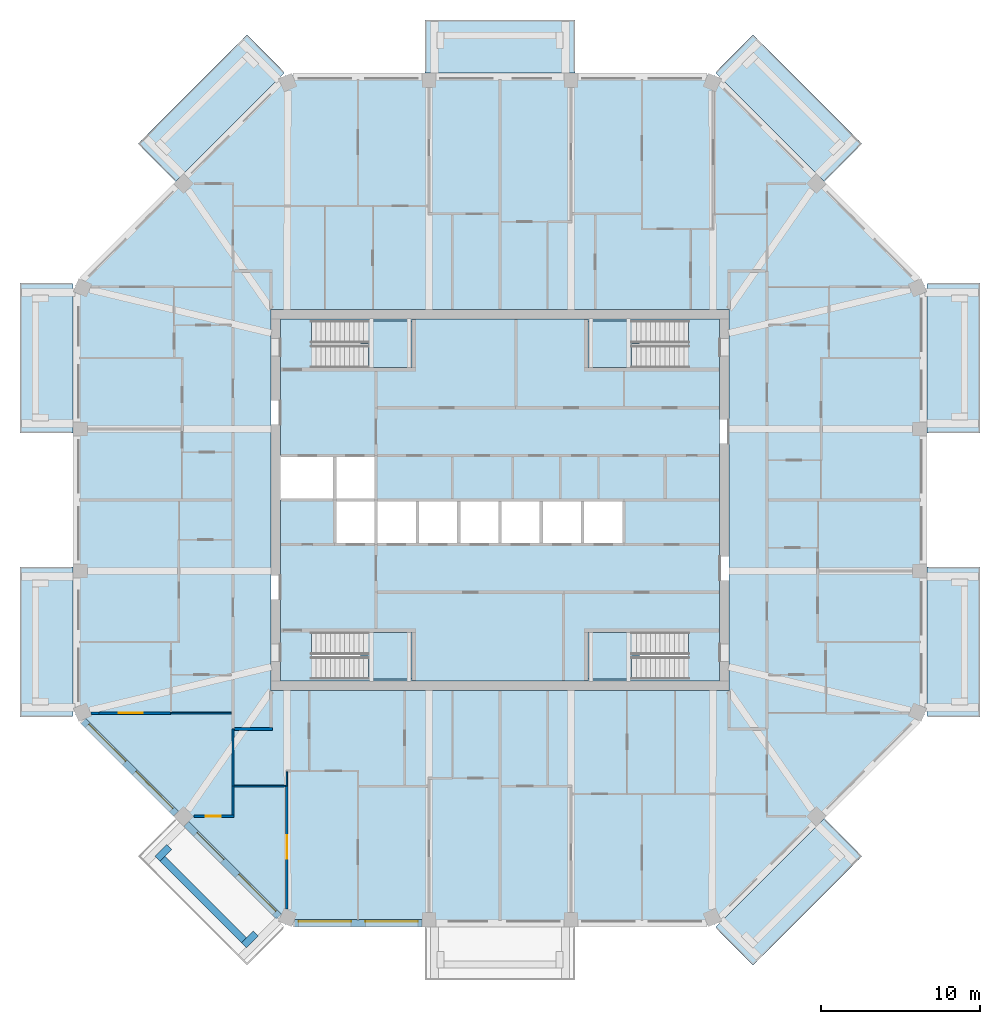
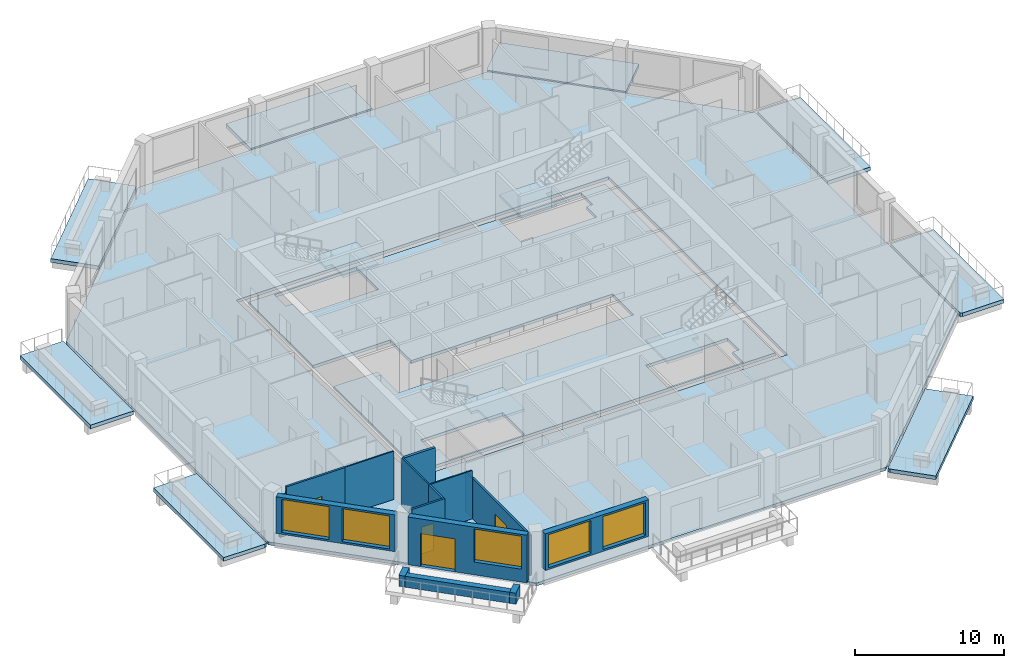
# One storey, part 2 of 12: 16 walls, 14 slabs, 5 windows, 4 doors, 9 openings, 4 elements without a shape of their own.
"""IFC4 building model written with IfcOpenShell, lengths in metres."""

import ifcopenshell
import ifcopenshell.guid

model = None  # the IFC model being written
_history = None  # IfcOwnerHistory: only IFC2X3 demands one
_inside = {}  # id of a spatial element -> (the spatial element, [elements in it])
_under = {}  # id of a project, library or spatial element -> (it, [spatial elements below it])
_declared = {}  # id of a project -> (the project, [libraries it declares])
_typed = {}  # id of a type object -> (the type object, [elements of that type])
_made_of = {}  # id of a material, layer set ... -> (it, [elements and type objects made of it])


def new_model(schema):
    """Start an empty IFC model of exactly this schema.

    Asked for "IFC4X3", IfcOpenShell would pick the latest addendum, in which some entities
    have other attributes; the version numbers below select the first issue.
    IFC2X3 requires an IfcOwnerHistory on every rooted entity: one is made here for all.
    """
    global model, _history
    if schema == "IFC4X3":
        model = ifcopenshell.file(schema_version=(4, 3, 0, 0))
    else:
        model = ifcopenshell.file(schema=schema)
    _inside.clear()
    _under.clear()
    _declared.clear()
    _typed.clear()
    _made_of.clear()
    _history = None
    if model.schema == "IFC2X3":
        org = make("IfcOrganization", Name="unknown")
        user = make(
            "IfcPersonAndOrganization",
            ThePerson=make("IfcPerson", FamilyName="unknown"),
            TheOrganization=org,
        )
        app = make(
            "IfcApplication",
            ApplicationDeveloper=org,
            Version="unknown",
            ApplicationFullName="unknown",
            ApplicationIdentifier="unknown",
        )
        _history = make(
            "IfcOwnerHistory",
            OwningUser=user,
            OwningApplication=app,
            ChangeAction="ADDED",
            CreationDate=0,
        )
    return model


def make(cls, **values):
    """One entity of the class cls with the attributes given. An attribute that is None is left unset."""
    return model.create_entity(
        cls, **{name: value for name, value in values.items() if value is not None}
    )


def rooted(cls, **values):
    """An entity with a GlobalId (a new one), such as an element, a storey or a relation."""
    return make(cls, GlobalId=ifcopenshell.guid.new(), OwnerHistory=_history, **values)


def si_unit(unit_type, name, prefix=None):
    """IfcSIUnit, for example si_unit("LENGTHUNIT", "METRE", prefix="MILLI")."""
    return make("IfcSIUnit", UnitType=unit_type, Prefix=prefix, Name=name)


def assignment(units):
    """IfcUnitAssignment: the units of a project."""
    return None if units is None else make("IfcUnitAssignment", Units=units)


def point(xyz):
    """IfcCartesianPoint."""
    return None if xyz is None else make("IfcCartesianPoint", Coordinates=xyz)


def direction(xyz):
    """IfcDirection."""
    return None if xyz is None else make("IfcDirection", DirectionRatios=xyz)


def frame(location, z_axis=None, x_axis=None):
    """IfcAxis2Placement3D, a coordinate frame: its origin and axes. An axis left out is left unset."""
    return make(
        "IfcAxis2Placement3D",
        Location=point(location),
        Axis=direction(z_axis),
        RefDirection=direction(x_axis),
    )


def frame_2d(location, x_axis=None):
    """IfcAxis2Placement2D, a coordinate frame in the plane: its origin and x axis."""
    return make(
        "IfcAxis2Placement2D", Location=point(location), RefDirection=direction(x_axis)
    )


def origin():
    """The frame at (0, 0, 0) with its axes left unset."""
    return frame((0.0, 0.0, 0.0))


def place(relative_to, where):
    """IfcLocalPlacement: puts the frame where relative to a parent placement (None: the world)."""
    return make(
        "IfcLocalPlacement", PlacementRelTo=relative_to, RelativePlacement=where
    )


def context(
    kind, dimensions, precision=None, world=None, true_north=None, identifier=None
):
    """IfcGeometricRepresentationContext, for example the 3D "Model" context."""
    return make(
        "IfcGeometricRepresentationContext",
        ContextIdentifier=identifier,
        ContextType=kind,
        CoordinateSpaceDimension=dimensions,
        Precision=precision,
        WorldCoordinateSystem=world,
        TrueNorth=true_north,
    )


def subcontext(parent, identifier, kind, view, scale=None):
    """IfcGeometricRepresentationSubContext, for example "Body" below "Model"."""
    return make(
        "IfcGeometricRepresentationSubContext",
        ContextIdentifier=identifier,
        ContextType=kind,
        ParentContext=parent,
        TargetScale=scale,
        TargetView=view,
    )


def project(units=None, contexts=None):
    """IfcProject with its units and contexts."""
    return rooted(
        "IfcProject",
        Name="project",
        RepresentationContexts=contexts,
        UnitsInContext=assignment(units),
    )


def spatial(cls, under=None, at=None, **own):
    """A site, building, storey or space (cls), placed at a placement, below another one or the project."""
    s = rooted(cls, ObjectPlacement=at, **own)
    if under is not None:
        _under.setdefault(under.id(), (under, []))[1].append(s)
    return s


def polyline(points):
    """IfcPolyline through the points."""
    return make("IfcPolyline", Points=[point(p) for p in points])


def profile(cls, at=None, kind="AREA", **sizes):
    """A parametric profile (cls). Its sizes go by their IFC names, for example OverallWidth=200.0."""
    return make(cls, ProfileType=kind, Position=at, **sizes)


def rectangle(**sizes):
    """IfcRectangleProfileDef."""
    return profile("IfcRectangleProfileDef", **sizes)


def outline(outer, holes=None, kind="AREA"):
    """IfcArbitraryClosedProfileDef: a profile drawn as a closed curve; with holes, ...WithVoids."""
    if holes is None:
        return make("IfcArbitraryClosedProfileDef", ProfileType=kind, OuterCurve=outer)
    return make(
        "IfcArbitraryProfileDefWithVoids",
        ProfileType=kind,
        OuterCurve=outer,
        InnerCurves=holes,
    )


def extrude(swept, where, along, depth):
    """IfcExtrudedAreaSolid: the profile swept, set in the frame where, extruded along a direction by depth."""
    return make(
        "IfcExtrudedAreaSolid",
        SweptArea=swept,
        Position=where,
        ExtrudedDirection=direction(along),
        Depth=depth,
    )


def shape(context_of_items, identifier, shape_type, items):
    """IfcShapeRepresentation: the items that make up one representation, for example the "Body"."""
    return make(
        "IfcShapeRepresentation",
        ContextOfItems=context_of_items,
        RepresentationIdentifier=identifier,
        RepresentationType=shape_type,
        Items=items,
    )


def material(Name=None, Category=None):
    """IfcMaterial."""
    return make("IfcMaterial", Name=Name, Category=Category)


def layer(
    of_material, thickness, ventilated=None, Name=None, Category=None, Priority=None
):
    """IfcMaterialLayer: one layer of a wall or slab, of a material (None: an air gap)."""
    return make(
        "IfcMaterialLayer",
        Material=of_material,
        LayerThickness=thickness,
        IsVentilated=ventilated,
        Name=Name,
        Category=Category,
        Priority=Priority,
    )


def layer_set(layers, Name=None):
    """IfcMaterialLayerSet."""
    return make("IfcMaterialLayerSet", MaterialLayers=layers, LayerSetName=Name)


def made_of(thing, what):
    """Note that an element or type object is made of a material, layer set ...; save() writes the relation."""
    if what is not None:
        _made_of.setdefault(what.id(), (what, []))[1].append(thing)
    return thing


def type_object(cls, material=None, **own):
    """A type object (cls), such as IfcWallType, which elements share."""
    return made_of(rooted(cls, **own), material)


def element(
    cls,
    number,
    at=None,
    inside=None,
    cuts=None,
    type_object=None,
    material=None,
    context=None,
    identifier="Body",
    shape_type=None,
    held_by="IfcProductDefinitionShape",
    body=None,
    shapes=None,
    **own,
):
    """One element of the class cls, such as IfcWall. Its Tag is "e" and its number.

    at: its placement. inside: the storey or other place that contains it. cuts: it is an
    opening in that element (IfcRelVoidsElement). A single representation is given by context,
    identifier, shape_type and body (its items); several are given by shapes. held_by: the class
    of the entity that holds the representations. save() writes the other relations.
    """
    e = rooted(cls, Tag="e%d" % number, ObjectPlacement=at, **own)
    if body is not None:
        shapes = [shape(context, identifier, shape_type, body)]
    if shapes is not None:
        e.Representation = make(held_by, Representations=shapes)
    if inside is not None:
        _inside.setdefault(inside.id(), (inside, []))[1].append(e)
    if cuts is not None:
        rooted(
            "IfcRelVoidsElement", RelatingBuildingElement=cuts, RelatedOpeningElement=e
        )
    if type_object is not None:
        _typed.setdefault(type_object.id(), (type_object, []))[1].append(e)
    return made_of(e, material)


def fill(opening, filler):
    """IfcRelFillsElement: the door or window that sits in an opening."""
    return rooted(
        "IfcRelFillsElement",
        RelatingOpeningElement=opening,
        RelatedBuildingElement=filler,
    )


def aggregate(whole, parts):
    """IfcRelAggregates: a whole, such as a stair, and the parts it consists of."""
    return rooted("IfcRelAggregates", RelatingObject=whole, RelatedObjects=parts)


def save(model, path):
    """Write the relations noted so far, then the file.

    IfcRelAggregates (storeys below a building ...), IfcRelContainedInSpatialStructure (elements
    in a storey), IfcRelDefinesByType, IfcRelAssociatesMaterial and IfcRelDeclares: one each for
    every whole, place, type object, material and project.
    """
    for whole, parts in _under.values():
        aggregate(whole, parts)
    for where, things in _inside.values():
        rooted(
            "IfcRelContainedInSpatialStructure",
            RelatedElements=things,
            RelatingStructure=where,
        )
    for kind, things in _typed.values():
        rooted("IfcRelDefinesByType", RelatedObjects=things, RelatingType=kind)
    for what, things in _made_of.values():
        rooted("IfcRelAssociatesMaterial", RelatedObjects=things, RelatingMaterial=what)
    for by, libraries in _declared.values():
        rooted("IfcRelDeclares", RelatingContext=by, RelatedDefinitions=libraries)
    model.write(path)


model = new_model("IFC4")

# Units and contexts
model_context = context("Model", 3, precision=1e-05, world=origin(), true_north=direction((0.0, 1.0)))
body_context = subcontext(model_context, "Body", "Model", "MODEL_VIEW")
ifc_project = project(units=[si_unit("LENGTHUNIT", "METRE"), si_unit("AREAUNIT", "SQUARE_METRE"), si_unit("VOLUMEUNIT", "CUBIC_METRE"), si_unit("PLANEANGLEUNIT", "RADIAN"), si_unit("MASSUNIT", "GRAM", prefix="KILO")], contexts=[model_context])

# Site, building, storey
site_placement = place(None, origin())
site = spatial("IfcSite", under=ifc_project, at=site_placement, CompositionType="ELEMENT")
building_placement = place(site_placement, origin())
building = spatial("IfcBuilding", under=site, at=building_placement, Name="Msitu Wima Residences", CompositionType="ELEMENT")
storey_placement = place(building_placement, frame((0.0, 0.0, 272.699951171875)))
storey = spatial("IfcBuildingStorey", under=building, at=storey_placement, Name="L63", CompositionType="ELEMENT", Elevation=272.699951171875)

# Slabs
ifc_material_1 = material(Name="Concrete C40/50", Category="concrete")
ifc_layer_1 = layer(ifc_material_1, 0.300048828125)
ifc_layer_set_1 = layer_set([ifc_layer_1], Name="Concrete C40/50")
slab_type_1 = type_object("IfcSlabType", Name="Balcony slab BS300", PredefinedType="FLOOR", material=ifc_layer_set_1)
slab_1_placement = place(storey_placement, frame((0.0, 0.0, -0.300048828125)))
element("IfcSlab", 1, at=slab_1_placement, inside=storey, type_object=slab_type_1, Name="Balcony E0 L63", PredefinedType="FLOOR", context=body_context, shape_type="SweptSolid", body=[
    extrude(outline(polyline([(26.85009765625, -13.105224609375), (26.85009765625, -13.105224609375), (26.85009765625, -4.918701171875), (26.85009765625, -4.21875), (30.199951171875, -4.21875), (30.199951171875, -13.656005859375), (27.003662109375, -13.656005859375), (26.85009765625, -13.59228515625), (26.85009765625, -13.105224609375), (26.85009765625, -13.105224609375)])), origin(), (0.0, 0.0, 1.0), 0.300048828125),
])
slab_2_placement = place(storey_placement, frame((0.0, 0.0, -0.300048828125)))
element("IfcSlab", 2, at=slab_2_placement, inside=storey, type_object=slab_type_1, Name="Balcony E2 L63", PredefinedType="FLOOR", context=body_context, shape_type="SweptSolid", body=[
    extrude(outline(polyline([(26.85009765625, 13.105224609375), (26.85009765625, 13.105224609375), (26.85009765625, 13.105224609375), (26.85009765625, 13.59228515625), (27.003662109375, 13.656005859375), (30.199951171875, 13.656005859375), (30.199951171875, 4.21875), (26.85009765625, 4.21875), (26.85009765625, 4.918701171875), (26.85009765625, 13.105224609375)])), origin(), (0.0, 0.0, 1.0), 0.300048828125),
])
slab_3_placement = place(storey_placement, frame((0.0, 0.0, -0.300048828125)))
element("IfcSlab", 3, at=slab_3_placement, inside=storey, type_object=slab_type_1, Name="Balcony NE1 L63", PredefinedType="FLOOR", context=body_context, shape_type="SweptSolid", body=[
    extrude(outline(polyline([(13.936767578125, 26.505615234375), (13.936767578125, 26.505615234375), (13.59228515625, 26.85009765625), (13.656005859375, 27.003662109375), (15.916015625, 29.263671875), (22.766845703125, 22.4130859375), (20.39794921875, 20.04443359375), (13.936767578125, 26.505615234375), (13.936767578125, 26.505615234375)])), origin(), (0.0, 0.0, 1.0), 0.300048828125),
])
slab_4_placement = place(storey_placement, frame((0.0, 0.0, -0.300048828125)))
element("IfcSlab", 4, at=slab_4_placement, inside=storey, type_object=slab_type_1, Name="Balcony N1 L63", PredefinedType="FLOOR", context=body_context, shape_type="SweptSolid", body=[
    extrude(outline(polyline([(4.0185546875, 26.85009765625), (-4.0185546875, 26.85009765625), (-4.71875, 26.85009765625), (-4.71875, 30.199951171875), (4.71875, 30.199951171875), (4.71875, 26.85009765625), (4.0185546875, 26.85009765625)])), origin(), (0.0, 0.0, 1.0), 0.300048828125),
])
slab_5_placement = place(storey_placement, frame((0.0, 0.0, -0.300048828125)))
element("IfcSlab", 5, at=slab_5_placement, inside=storey, type_object=slab_type_1, Name="Balcony NW0 L63", PredefinedType="FLOOR", context=body_context, shape_type="SweptSolid", body=[
    extrude(outline(polyline([(-13.936767578125, 26.505615234375), (-13.936767578125, 26.505615234375), (-20.39794921875, 20.04443359375), (-22.766845703125, 22.4130859375), (-15.916015625, 29.263671875), (-13.656005859375, 27.003662109375), (-13.59228515625, 26.85009765625), (-13.936767578125, 26.505615234375), (-13.936767578125, 26.505615234375)])), origin(), (0.0, 0.0, 1.0), 0.300048828125),
])
slab_6_placement = place(storey_placement, frame((0.0, 0.0, -0.300048828125)))
element("IfcSlab", 6, at=slab_6_placement, inside=storey, type_object=slab_type_1, Name="Balcony W0 L63", PredefinedType="FLOOR", context=body_context, shape_type="SweptSolid", body=[
    extrude(outline(polyline([(-26.85009765625, 13.105224609375), (-26.85009765625, 13.105224609375), (-26.85009765625, 4.918701171875), (-26.85009765625, 4.21875), (-30.199951171875, 4.21875), (-30.199951171875, 13.656005859375), (-27.003662109375, 13.656005859375), (-26.85009765625, 13.59228515625), (-26.85009765625, 13.105224609375), (-26.85009765625, 13.105224609375)])), origin(), (0.0, 0.0, 1.0), 0.300048828125),
])
slab_7_placement = place(storey_placement, frame((0.0, 0.0, -0.300048828125)))
element("IfcSlab", 7, at=slab_7_placement, inside=storey, type_object=slab_type_1, Name="Balcony W2 L63", PredefinedType="FLOOR", context=body_context, shape_type="SweptSolid", body=[
    extrude(outline(polyline([(-26.85009765625, -13.105224609375), (-26.85009765625, -13.105224609375), (-26.85009765625, -13.105224609375), (-26.85009765625, -13.59228515625), (-27.003662109375, -13.656005859375), (-30.199951171875, -13.656005859375), (-30.199951171875, -4.21875), (-26.85009765625, -4.21875), (-26.85009765625, -4.918701171875), (-26.85009765625, -13.105224609375)])), origin(), (0.0, 0.0, 1.0), 0.300048828125),
])
slab_8_placement = place(storey_placement, frame((0.0, 0.0, -0.300048828125)))
element("IfcSlab", 8, at=slab_8_placement, inside=storey, type_object=slab_type_1, Name="Balcony SE0 L63", PredefinedType="FLOOR", context=body_context, shape_type="SweptSolid", body=[
    extrude(outline(polyline([(13.936767578125, -26.505615234375), (13.936767578125, -26.505615234375), (20.39794921875, -20.04443359375), (22.766845703125, -22.4130859375), (15.916015625, -29.263671875), (13.656005859375, -27.003662109375), (13.59228515625, -26.85009765625), (13.936767578125, -26.505615234375), (13.936767578125, -26.505615234375)])), origin(), (0.0, 0.0, 1.0), 0.300048828125),
])
ifc_layer_2 = layer(ifc_material_1, 0.25)
ifc_layer_set_2 = layer_set([ifc_layer_2], Name="Concrete C40/50")
slab_type_2 = type_object("IfcSlabType", Name="Core floor CF250", PredefinedType="FLOOR", material=ifc_layer_set_2)
slab_9_placement = place(storey_placement, frame((0.0, 0.0, -0.25)))
element("IfcSlab", 9, at=slab_9_placement, inside=storey, type_object=slab_type_2, Name="Core floor", PredefinedType="FLOOR", context=body_context, shape_type="SweptSolid", body=[
    extrude(outline(polyline([(-13.800048828125, 11.39990234375), (-13.800048828125, 2.800048828125), (-10.39990234375, 2.800048828125), (-7.800048828125, 2.800048828125), (-7.800048828125, 0.0), (-5.199951171875, 0.0), (-2.60009765625, 0.0), (0.0, 0.0), (2.60009765625, 0.0), (5.199951171875, 0.0), (7.800048828125, 0.0), (7.800048828125, -2.800048828125), (5.199951171875, -2.800048828125), (2.60009765625, -2.800048828125), (0.0, -2.800048828125), (-2.60009765625, -2.800048828125), (-5.199951171875, -2.800048828125), (-7.800048828125, -2.800048828125), (-10.39990234375, -2.800048828125), (-10.39990234375, 0.0), (-13.800048828125, 0.0), (-13.800048828125, -11.39990234375), (13.800048828125, -11.39990234375), (13.800048828125, 11.39990234375), (-13.800048828125, 11.39990234375)]), holes=[polyline([(-11.375, -11.27490234375), (-11.375, -9.875), (-11.87451171875, -9.875), (-11.87451171875, -8.324951171875), (-5.52490234375, -8.324951171875), (-5.52490234375, -11.27490234375), (-11.375, -11.27490234375)]), polyline([(-11.375, 8.324951171875), (-11.375, 9.72509765625), (-11.87451171875, 9.72509765625), (-11.87451171875, 11.27490234375), (-5.52490234375, 11.27490234375), (-5.52490234375, 8.324951171875), (-11.375, 8.324951171875)]), polyline([(11.375, -9.875), (11.375, -11.27490234375), (5.52490234375, -11.27490234375), (5.52490234375, -8.324951171875), (11.87451171875, -8.324951171875), (11.87451171875, -9.875), (11.375, -9.875)]), polyline([(11.375, 9.72509765625), (11.375, 8.324951171875), (5.52490234375, 8.324951171875), (5.52490234375, 11.27490234375), (11.87451171875, 11.27490234375), (11.87451171875, 9.72509765625), (11.375, 9.72509765625)])]), origin(), (0.0, 0.0, 1.0), 0.25),
])
ifc_layer_3 = layer(ifc_material_1, 0.25)
ifc_layer_set_3 = layer_set([ifc_layer_3], Name="Concrete C40/50")
slab_type_3 = type_object("IfcSlabType", Name="PT flat slab 250 Concrete C40/50", PredefinedType="FLOOR", material=ifc_layer_set_3)
slab_10_placement = place(storey_placement, frame((0.0, 0.0, -0.25)))
element("IfcSlab", 10, at=slab_10_placement, inside=storey, type_object=slab_type_3, Name="Floor slab L63", PredefinedType="FLOOR", context=body_context, shape_type="SweptSolid", body=[
    extrude(outline(polyline([(26.699951171875, -13.5302734375), (13.5302734375, -26.699951171875), (-13.5302734375, -26.699951171875), (-26.699951171875, -13.5302734375), (-26.699951171875, 13.5302734375), (-13.5302734375, 26.699951171875), (13.5302734375, 26.699951171875), (26.699951171875, 13.5302734375), (26.699951171875, -13.5302734375)]), holes=[polyline([(-14.39990234375, -12.0), (14.39990234375, -12.0), (14.39990234375, 12.0), (-14.39990234375, 12.0), (-14.39990234375, -12.0)])]), origin(), (0.0, 0.0, 1.0), 0.25),
])

# Stair, slab
stair_type = type_object("IfcStairType", Name="Exit stair ES1615-140", PredefinedType="HALF_TURN_STAIR", material=ifc_material_1)
stair_1_placement = place(storey_placement, origin())
stair_1 = element("IfcStair", 11, at=stair_1_placement, inside=storey, type_object=stair_type, Name="Exit stair 1", PredefinedType="HALF_TURN_STAIR")
ifc_layer_4 = layer(ifc_material_1, 0.199951171875)
ifc_layer_set_4 = layer_set([ifc_layer_4], Name="Concrete C40/50")
slab_type_4 = type_object("IfcSlabType", Name="Stair landing SL200", PredefinedType="LANDING", material=ifc_layer_set_4)
slab_11_placement = place(storey_placement, frame((0.0, 0.0, 1.900146484375)))
slab_11 = element("IfcSlab", 12, at=slab_11_placement, type_object=slab_type_4, Name="S1 landing 1", PredefinedType="LANDING", context=body_context, shape_type="SweptSolid", body=[
    extrude(outline(polyline([(-5.52490234375, 8.324951171875), (-8.275390625, 8.324951171875), (-8.275390625, 9.800048828125), (-8.77490234375, 9.800048828125), (-8.77490234375, 11.27490234375), (-5.52490234375, 11.27490234375), (-5.52490234375, 8.324951171875)])), origin(), (0.0, 0.0, 1.0), 0.199951171875),
])
aggregate(stair_1, [slab_11])

stair_2_placement = place(storey_placement, origin())
stair_2 = element("IfcStair", 13, at=stair_2_placement, inside=storey, type_object=stair_type, Name="Exit stair 2", PredefinedType="HALF_TURN_STAIR")
slab_12_placement = place(storey_placement, frame((0.0, 0.0, 1.900146484375)))
slab_12 = element("IfcSlab", 14, at=slab_12_placement, type_object=slab_type_4, Name="S2 landing 1", PredefinedType="LANDING", context=body_context, shape_type="SweptSolid", body=[
    extrude(outline(polyline([(-5.52490234375, -11.27490234375), (-8.275390625, -11.27490234375), (-8.275390625, -9.800048828125), (-8.77490234375, -9.800048828125), (-8.77490234375, -8.324951171875), (-5.52490234375, -8.324951171875), (-5.52490234375, -11.27490234375)])), origin(), (0.0, 0.0, 1.0), 0.199951171875),
])
aggregate(stair_2, [slab_12])

stair_3_placement = place(storey_placement, origin())
stair_3 = element("IfcStair", 15, at=stair_3_placement, inside=storey, type_object=stair_type, Name="Exit stair 3", PredefinedType="HALF_TURN_STAIR")
slab_13_placement = place(storey_placement, frame((0.0, 0.0, 1.900146484375)))
slab_13 = element("IfcSlab", 16, at=slab_13_placement, type_object=slab_type_4, Name="S3 landing 1", PredefinedType="LANDING", context=body_context, shape_type="SweptSolid", body=[
    extrude(outline(polyline([(5.52490234375, 8.324951171875), (8.275390625, 8.324951171875), (8.275390625, 9.800048828125), (8.77490234375, 9.800048828125), (8.77490234375, 11.27490234375), (5.52490234375, 11.27490234375), (5.52490234375, 8.324951171875)])), origin(), (0.0, 0.0, 1.0), 0.199951171875),
])
aggregate(stair_3, [slab_13])

stair_4_placement = place(storey_placement, origin())
stair_4 = element("IfcStair", 17, at=stair_4_placement, inside=storey, type_object=stair_type, Name="Exit stair 4", PredefinedType="HALF_TURN_STAIR")
slab_14_placement = place(storey_placement, frame((0.0, 0.0, 1.900146484375)))
slab_14 = element("IfcSlab", 18, at=slab_14_placement, type_object=slab_type_4, Name="S4 landing 1", PredefinedType="LANDING", context=body_context, shape_type="SweptSolid", body=[
    extrude(outline(polyline([(5.52490234375, -11.27490234375), (8.275390625, -11.27490234375), (8.275390625, -9.800048828125), (8.77490234375, -9.800048828125), (8.77490234375, -8.324951171875), (5.52490234375, -8.324951171875), (5.52490234375, -11.27490234375)])), origin(), (0.0, 0.0, 1.0), 0.199951171875),
])
aggregate(stair_4, [slab_14])

# Walls
ifc_material_2 = material(Name="Facing brick")
ifc_layer_5 = layer(ifc_material_2, 0.06494140625, Name="Facing brick")
ifc_layer_6 = layer(ifc_material_1, 0.156005859375, Name="Concrete C40/50")
ifc_material_3 = material(Name="Waterproofing membrane")
ifc_layer_7 = layer(ifc_material_3, 0.00390625, Name="Waterproofing membrane")
ifc_material_4 = material(Name="Planting soil and planting")
ifc_layer_8 = layer(ifc_material_4, 0.22509765625, Name="Planting soil and planting")
ifc_layer_set_5 = layer_set([ifc_layer_5, ifc_layer_6, ifc_layer_7, ifc_layer_8], Name="Concrete C40/50")
wall_type_1 = type_object("IfcWallType", Name="Balcony planter PLANTER PL450", PredefinedType="USERDEFINED", material=ifc_layer_set_5)
wall_1_placement = place(storey_placement, frame((-21.228759765625, -22.572265625, 0.0), z_axis=(0.0, 0.0, 1.0), x_axis=(0.707106781187, -0.707106781187, 0.0)))
element("IfcWall", 19, at=wall_1_placement, inside=storey, type_object=wall_type_1, Name="Balcony planter SW1 L63", ObjectType="PLANTER", PredefinedType="USERDEFINED", context=body_context, shape_type="SweptSolid", body=[
    extrude(rectangle(XDim=7.23828125, YDim=0.449951171875, at=frame_2d((3.619140625, 0.0))), origin(), (0.0, 0.0, 1.0), 0.900146484375),
])
for number, where, z_axis, x_axis, name in (
    (20, (-20.804443359375, -21.829833984375, 0.0), (0.0, 0.0, 1.0), (-0.707106781187, -0.707106781187, 0.0), "Balcony planter SW1 L63"),
    (21, (-15.3681640625, -27.26611328125, 0.0), (0.0, 0.0, 1.0), (-0.706990528533, -0.707223014731, 0.0), "Balcony planter SW1 L63"),
):
    element("IfcWall", number, at=place(storey_placement, frame(where, z_axis=z_axis, x_axis=x_axis)), inside=storey, type_object=wall_type_1, Name=name, ObjectType="PLANTER", PredefinedType="USERDEFINED", context=body_context, shape_type="SweptSolid", body=[
        extrude(rectangle(XDim=1.050048828125, YDim=0.449951171875, at=frame_2d((0.52490234375, 0.0))), origin(), (0.0, 0.0, 1.0), 0.900146484375),
    ])

# Wall, openings, windows
ifc_material_5 = material(Name="Brick (red buff mix)", Category="masonry")
ifc_layer_9 = layer(ifc_material_5, 0.449951171875)
ifc_layer_set_6 = layer_set([ifc_layer_9], Name="Brick (red buff mix)")
wall_type_2 = type_object("IfcWallType", Name="Brick infill wall BW450", PredefinedType="SOLIDWALL", material=ifc_layer_set_6)
wall_2_placement = place(storey_placement, frame((-26.214599609375, -13.909423828125, 0.900146484375), z_axis=(0.0, 0.0, 1.0), x_axis=(0.707106781187, -0.707106781187, 0.0)))
wall_2 = element("IfcWall", 22, at=wall_2_placement, inside=storey, type_object=wall_type_2, Name="Brick infill wall L63 SW0", PredefinedType="SOLIDWALL", context=body_context, shape_type="SweptSolid", body=[
    extrude(rectangle(XDim=8.251220703125, YDim=0.449951171875, at=frame_2d((4.12548828125, 0.0))), origin(), (0.0, 0.0, 1.0), 3.0),
])
opening_1_placement = place(wall_2_placement, frame((0.37548828125, 0.0, 0.14990234375)))
opening_1 = element("IfcOpeningElement", 23, at=opening_1_placement, cuts=wall_2, Name="Opening W63-64.024", PredefinedType="OPENING", context=body_context, shape_type="SweptSolid", body=[
    extrude(rectangle(XDim=3.300048828125, YDim=2.699951171875, at=frame_2d((1.64990234375, 1.35009765625))), frame((0.0, 0.23486328125, 0.0), z_axis=(0.0, -1.0, 0.0), x_axis=(1.0, 0.0, 0.0)), (0.0, 0.0, 1.0), 0.469970703125),
])
opening_2_placement = place(wall_2_placement, frame((4.57568359375, 0.0, 0.14990234375)))
opening_2 = element("IfcOpeningElement", 24, at=opening_2_placement, cuts=wall_2, Name="Opening W63-64.025", PredefinedType="OPENING", context=body_context, shape_type="SweptSolid", body=[
    extrude(rectangle(XDim=3.300048828125, YDim=2.699951171875, at=frame_2d((1.64990234375, 1.35009765625))), frame((0.0, 0.23486328125, 0.0), z_axis=(0.0, -1.0, 0.0), x_axis=(1.0, 0.0, 0.0)), (0.0, 0.0, 1.0), 0.469970703125),
])
ifc_material_6 = material(Name="Anodised aluminium, bronze finish, clear low-emissivity double glazing", Category="aluminium")
window_type = type_object("IfcWindowType", Name="Window W3300x2700", PartitioningType="DOUBLE_PANEL_VERTICAL", PredefinedType="WINDOW", material=ifc_material_6)
window_1_placement = place(opening_1_placement, origin())
window_1 = element("IfcWindow", 25, at=window_1_placement, inside=storey, type_object=window_type, Name="Window L63 SW0.1", OverallHeight=2.699951171875, OverallWidth=3.300048828125, PartitioningType="SINGLE_PANEL", PredefinedType="WINDOW", context=body_context, shape_type="SweptSolid", body=[
    extrude(rectangle(XDim=3.300048828125, YDim=2.699951171875, at=frame_2d((1.64990234375, 1.35009765625))), frame((0.0, 0.135009765625, 0.0), z_axis=(0.0, -1.0, 0.0), x_axis=(1.0, 0.0, 0.0)), (0.0, 0.0, 1.0), 0.06005859375),
])
fill(opening_1, window_1)
window_2_placement = place(opening_2_placement, origin())
window_2 = element("IfcWindow", 26, at=window_2_placement, inside=storey, type_object=window_type, Name="Window L63 SW0.2", OverallHeight=2.699951171875, OverallWidth=3.300048828125, PartitioningType="SINGLE_PANEL", PredefinedType="WINDOW", context=body_context, shape_type="SweptSolid", body=[
    extrude(rectangle(XDim=3.300048828125, YDim=2.699951171875, at=frame_2d((1.64990234375, 1.35009765625))), frame((0.0, 0.135009765625, 0.0), z_axis=(0.0, -1.0, 0.0), x_axis=(1.0, 0.0, 0.0)), (0.0, 0.0, 1.0), 0.06005859375),
])
fill(opening_2, window_2)

# Wall, openings, door, window
wall_3_placement = place(storey_placement, frame((-19.743896484375, -20.380126953125, 0.0), z_axis=(0.0, 0.0, 1.0), x_axis=(0.707106781187, -0.707106781187, 0.0)))
wall_3 = element("IfcWall", 27, at=wall_3_placement, inside=storey, type_object=wall_type_2, Name="Brick infill wall L63 SW1", PredefinedType="SOLIDWALL", context=body_context, shape_type="SweptSolid", body=[
    extrude(rectangle(XDim=8.251220703125, YDim=0.449951171875, at=frame_2d((4.12548828125, 0.0))), origin(), (0.0, 0.0, 1.0), 3.900146484375),
])
opening_3_placement = place(wall_3_placement, frame((0.86279296875, 0.0, 0.0)))
opening_3 = element("IfcOpeningElement", 28, at=opening_3_placement, cuts=wall_3, Name="Opening D63-64.008", PredefinedType="OPENING", context=body_context, shape_type="SweptSolid", body=[
    extrude(rectangle(XDim=2.39990234375, YDim=2.699951171875, at=frame_2d((1.199951171875, 1.35009765625))), frame((0.0, 0.23486328125, 0.0), z_axis=(0.0, -1.0, 0.0), x_axis=(1.0, 0.0, 0.0)), (0.0, 0.0, 1.0), 0.469970703125),
])
opening_4_placement = place(wall_3_placement, frame((4.57568359375, 0.0, 1.050048828125)))
opening_4 = element("IfcOpeningElement", 29, at=opening_4_placement, cuts=wall_3, Name="Opening W63-64.026", PredefinedType="OPENING", context=body_context, shape_type="SweptSolid", body=[
    extrude(rectangle(XDim=3.300048828125, YDim=2.699951171875, at=frame_2d((1.64990234375, 1.35009765625))), frame((0.0, 0.23486328125, 0.0), z_axis=(0.0, -1.0, 0.0), x_axis=(1.0, 0.0, 0.0)), (0.0, 0.0, 1.0), 0.469970703125),
])
door_type_1 = type_object("IfcDoorType", Name="Balcony door D2400x2700", OperationType="SLIDING_TO_LEFT", PredefinedType="DOOR", material=ifc_material_6)
door_1_placement = place(opening_3_placement, origin())
door_1 = element("IfcDoor", 30, at=door_1_placement, inside=storey, type_object=door_type_1, Name="Balcony door L63 SW1", OperationType="SINGLE_SWING_LEFT", OverallHeight=2.699951171875, OverallWidth=2.39990234375, PredefinedType="DOOR", context=body_context, shape_type="SweptSolid", body=[
    extrude(rectangle(XDim=2.39990234375, YDim=2.699951171875, at=frame_2d((1.199951171875, 1.35009765625))), frame((0.0, 0.1298828125, 0.0), z_axis=(0.0, -1.0, 0.0), x_axis=(1.0, 0.0, 0.0)), (0.0, 0.0, 1.0), 0.050048828125),
])
fill(opening_3, door_1)
window_3_placement = place(opening_4_placement, origin())
window_3 = element("IfcWindow", 31, at=window_3_placement, inside=storey, type_object=window_type, Name="Window L63 SW1.2", OverallHeight=2.699951171875, OverallWidth=3.300048828125, PartitioningType="SINGLE_PANEL", PredefinedType="WINDOW", context=body_context, shape_type="SweptSolid", body=[
    extrude(rectangle(XDim=3.300048828125, YDim=2.699951171875, at=frame_2d((1.64990234375, 1.35009765625))), frame((0.0, 0.135009765625, 0.0), z_axis=(0.0, -1.0, 0.0), x_axis=(1.0, 0.0, 0.0)), (0.0, 0.0, 1.0), 0.06005859375),
])
fill(opening_4, window_3)

# Wall, openings, windows
wall_4_placement = place(storey_placement, frame((-12.918701171875, -26.625, 0.900146484375), z_axis=(0.0, 0.0, 1.0), x_axis=(1.0, 0.0, 0.0)))
wall_4 = element("IfcWall", 32, at=wall_4_placement, inside=storey, type_object=wall_type_2, Name="Brick infill wall L63 S0", PredefinedType="SOLIDWALL", context=body_context, shape_type="SweptSolid", body=[
    extrude(rectangle(XDim=8.0, YDim=0.449951171875, at=frame_2d((4.0, 0.0))), origin(), (0.0, 0.0, 1.0), 3.0),
])
opening_5_placement = place(wall_4_placement, frame((0.25, 0.0, 0.14990234375)))
opening_5 = element("IfcOpeningElement", 33, at=opening_5_placement, cuts=wall_4, Name="Opening W63-64.016", PredefinedType="OPENING", context=body_context, shape_type="SweptSolid", body=[
    extrude(rectangle(XDim=3.300048828125, YDim=2.699951171875, at=frame_2d((1.64990234375, 1.35009765625))), frame((0.0, 0.23486328125, 0.0), z_axis=(0.0, -1.0, 0.0), x_axis=(1.0, 0.0, 0.0)), (0.0, 0.0, 1.0), 0.469970703125),
])
opening_6_placement = place(wall_4_placement, frame((4.4501953125, 0.0, 0.14990234375)))
opening_6 = element("IfcOpeningElement", 34, at=opening_6_placement, cuts=wall_4, Name="Opening W63-64.017", PredefinedType="OPENING", context=body_context, shape_type="SweptSolid", body=[
    extrude(rectangle(XDim=3.300048828125, YDim=2.699951171875, at=frame_2d((1.64990234375, 1.35009765625))), frame((0.0, 0.23486328125, 0.0), z_axis=(0.0, -1.0, 0.0), x_axis=(1.0, 0.0, 0.0)), (0.0, 0.0, 1.0), 0.469970703125),
])
window_4_placement = place(opening_5_placement, origin())
window_4 = element("IfcWindow", 35, at=window_4_placement, inside=storey, type_object=window_type, Name="Window L63 S0.1", OverallHeight=2.699951171875, OverallWidth=3.300048828125, PartitioningType="SINGLE_PANEL", PredefinedType="WINDOW", context=body_context, shape_type="SweptSolid", body=[
    extrude(rectangle(XDim=3.300048828125, YDim=2.699951171875, at=frame_2d((1.64990234375, 1.35009765625))), frame((0.0, 0.135009765625, 0.0), z_axis=(0.0, -1.0, 0.0), x_axis=(1.0, 0.0, 0.0)), (0.0, 0.0, 1.0), 0.06005859375),
])
fill(opening_5, window_4)
window_5_placement = place(opening_6_placement, origin())
window_5 = element("IfcWindow", 36, at=window_5_placement, inside=storey, type_object=window_type, Name="Window L63 S0.2", OverallHeight=2.699951171875, OverallWidth=3.300048828125, PartitioningType="SINGLE_PANEL", PredefinedType="WINDOW", context=body_context, shape_type="SweptSolid", body=[
    extrude(rectangle(XDim=3.300048828125, YDim=2.699951171875, at=frame_2d((1.64990234375, 1.35009765625))), frame((0.0, 0.135009765625, 0.0), z_axis=(0.0, -1.0, 0.0), x_axis=(1.0, 0.0, 0.0)), (0.0, 0.0, 1.0), 0.06005859375),
])
fill(opening_6, window_5)

# Walls
ifc_material_7 = material(Name="Plaster")
ifc_layer_10 = layer(ifc_material_7, 0.011962890625, Name="Plaster")
ifc_material_8 = material(Name="Concrete blockwork", Category="masonry")
ifc_layer_11 = layer(ifc_material_8, 0.176025390625, Name="Concrete blockwork")
ifc_layer_12 = layer(ifc_material_7, 0.011962890625, Name="Plaster")
ifc_layer_set_7 = layer_set([ifc_layer_10, ifc_layer_11, ifc_layer_12], Name="Concrete blockwork")
wall_type_3 = type_object("IfcWallType", Name="Corridor wall FW200", PredefinedType="PARTITIONING", material=ifc_layer_set_7)
wall_5_placement = place(storey_placement, frame((-16.699951171875, -14.39990234375, 0.0), z_axis=(0.0, 0.0, 1.0), x_axis=(1.0, 0.0, 0.0)))
element("IfcWall", 37, at=wall_5_placement, inside=storey, type_object=wall_type_3, Name="Corridor wall", PredefinedType="PARTITIONING", context=body_context, shape_type="SweptSolid", body=[
    extrude(rectangle(XDim=2.39990234375, YDim=0.199951171875, at=frame_2d((1.199951171875, 0.0))), origin(), (0.0, 0.0, 1.0), 3.949951171875),
])
ifc_layer_13 = layer(ifc_material_7, 0.011962890625, Name="Plaster")
ifc_layer_14 = layer(ifc_material_8, 0.1259765625, Name="Concrete blockwork")
ifc_layer_15 = layer(ifc_material_7, 0.011962890625, Name="Plaster")
ifc_layer_set_8 = layer_set([ifc_layer_13, ifc_layer_14, ifc_layer_15], Name="Concrete blockwork")
wall_type_4 = type_object("IfcWallType", Name="Partition PW150", PredefinedType="PARTITIONING", material=ifc_layer_set_8)
wall_6_placement = place(storey_placement, frame((-25.731201171875, -13.406005859375, 0.0), z_axis=(0.0, 0.0, 1.0), x_axis=(1.0, 0.0, 0.0)))
element("IfcWall", 38, at=wall_6_placement, inside=storey, type_object=wall_type_4, Name="Partition", PredefinedType="PARTITIONING", context=body_context, shape_type="SweptSolid", body=[
    extrude(rectangle(XDim=0.507080078125, YDim=0.14990234375, at=frame_2d((0.25341796875, 0.0))), origin(), (0.0, 0.0, 1.0), 3.35009765625),
])

# Wall, opening, door
wall_7_placement = place(storey_placement, frame((-25.22412109375, -13.406005859375, 0.0), z_axis=(0.0, 0.0, 1.0), x_axis=(1.0, 0.0, 0.0)))
wall_7 = element("IfcWall", 39, at=wall_7_placement, inside=storey, type_object=wall_type_4, Name="Partition", PredefinedType="PARTITIONING", context=body_context, shape_type="SweptSolid", body=[
    extrude(rectangle(XDim=4.524169921875, YDim=0.14990234375, at=frame_2d((2.26220703125, 0.0))), origin(), (0.0, 0.0, 1.0), 3.949951171875),
])
opening_7_placement = place(wall_7_placement, frame((1.242919921875, 0.0, 0.0)))
opening_7 = element("IfcOpeningElement", 40, at=opening_7_placement, cuts=wall_7, Name="Opening D63-64.048", PredefinedType="OPENING", context=body_context, shape_type="SweptSolid", body=[
    extrude(rectangle(XDim=1.5, YDim=2.199951171875, at=frame_2d((0.75, 1.10009765625))), frame((0.0, 0.0849609375, 0.0), z_axis=(0.0, -1.0, 0.0), x_axis=(1.0, 0.0, 0.0)), (0.0, 0.0, 1.0), 0.169921875),
])
ifc_material_9 = material(Name="Timber double door", Category="wood")
door_type_2 = type_object("IfcDoorType", Name="Double door D04 1500x2200", OperationType="DOUBLE_DOOR_SINGLE_SWING", PredefinedType="DOOR", material=ifc_material_9)
door_2_placement = place(opening_7_placement, origin())
door_2 = element("IfcDoor", 41, at=door_2_placement, inside=storey, type_object=door_type_2, Name="Double door", OperationType="DOUBLE_DOOR_SINGLE_SWING", OverallHeight=2.199951171875, OverallWidth=1.5, PredefinedType="DOOR", context=body_context, shape_type="SweptSolid", body=[
    extrude(rectangle(XDim=1.5, YDim=2.199951171875, at=frame_2d((0.75, 1.10009765625))), frame((0.0, 0.02490234375, 0.0), z_axis=(0.0, -1.0, 0.0), x_axis=(1.0, 0.0, 0.0)), (0.0, 0.0, 1.0), 0.050048828125),
])
fill(opening_7, door_2)

wall_8_placement = place(storey_placement, frame((-19.2666015625, -19.90283203125, 0.0), z_axis=(0.0, 0.0, 1.0), x_axis=(1.0, 0.0, 0.0)))
wall_8 = element("IfcWall", 42, at=wall_8_placement, inside=storey, type_object=wall_type_4, Name="Partition", PredefinedType="PARTITIONING", context=body_context, shape_type="SweptSolid", body=[
    extrude(rectangle(XDim=2.54150390625, YDim=0.14990234375, at=frame_2d((1.270751953125, 0.0))), origin(), (0.0, 0.0, 1.0), 3.949951171875),
])
opening_8_placement = place(wall_8_placement, frame((0.75, 0.0, 0.0)))
opening_8 = element("IfcOpeningElement", 43, at=opening_8_placement, cuts=wall_8, Name="Opening D63-64.049", PredefinedType="OPENING", context=body_context, shape_type="SweptSolid", body=[
    extrude(rectangle(XDim=0.949951171875, YDim=2.199951171875, at=frame_2d((0.47509765625, 1.10009765625))), frame((0.0, 0.0849609375, 0.0), z_axis=(0.0, -1.0, 0.0), x_axis=(1.0, 0.0, 0.0)), (0.0, 0.0, 1.0), 0.169921875),
])
ifc_material_10 = material(Name="Timber flush door", Category="wood")
door_type_3 = type_object("IfcDoorType", Name="Room door D12 950x2200", OperationType="SINGLE_SWING_LEFT", PredefinedType="DOOR", material=ifc_material_10)
door_3_placement = place(opening_8_placement, origin())
door_3 = element("IfcDoor", 44, at=door_3_placement, inside=storey, type_object=door_type_3, Name="Room door", OperationType="SINGLE_SWING_RIGHT", OverallHeight=2.199951171875, OverallWidth=0.949951171875, PredefinedType="DOOR", context=body_context, shape_type="SweptSolid", body=[
    extrude(rectangle(XDim=0.949951171875, YDim=2.199951171875, at=frame_2d((0.47509765625, 1.10009765625))), frame((0.0, 0.02490234375, 0.0), z_axis=(0.0, -1.0, 0.0), x_axis=(1.0, 0.0, 0.0)), (0.0, 0.0, 1.0), 0.050048828125),
])
fill(opening_8, door_3)

# Wall
wall_9_placement = place(storey_placement, frame((-16.800048828125, -19.827880859375, 0.0), z_axis=(0.0, 0.0, 1.0), x_axis=(0.0, 1.0, 0.0)))
element("IfcWall", 45, at=wall_9_placement, inside=storey, type_object=wall_type_4, Name="Partition", PredefinedType="PARTITIONING", context=body_context, shape_type="SweptSolid", body=[
    extrude(rectangle(XDim=1.827880859375, YDim=0.14990234375, at=frame_2d((0.9140625, 0.0))), origin(), (0.0, 0.0, 1.0), 3.949951171875),
])

# Wall, opening, door
wall_10_placement = place(storey_placement, frame((-13.406005859375, -25.731201171875, 0.0), z_axis=(0.0, 0.0, 1.0), x_axis=(0.0, 1.0, 0.0)))
wall_10 = element("IfcWall", 46, at=wall_10_placement, inside=storey, type_object=wall_type_4, Name="Partition", PredefinedType="PARTITIONING", context=body_context, shape_type="SweptSolid", body=[
    extrude(rectangle(XDim=7.751220703125, YDim=0.14990234375, at=frame_2d((3.87548828125, 0.0))), origin(), (0.0, 0.0, 1.0), 3.300048828125),
])
opening_9_placement = place(wall_10_placement, frame((3.14990234375, 0.0, 0.0)))
opening_9 = element("IfcOpeningElement", 47, at=opening_9_placement, cuts=wall_10, Name="Opening D63-64.050", PredefinedType="OPENING", context=body_context, shape_type="SweptSolid", body=[
    extrude(rectangle(XDim=1.5, YDim=2.199951171875, at=frame_2d((0.75, 1.10009765625))), frame((0.0, 0.0849609375, 0.0), z_axis=(0.0, -1.0, 0.0), x_axis=(1.0, 0.0, 0.0)), (0.0, 0.0, 1.0), 0.169921875),
])
door_4_placement = place(opening_9_placement, origin())
door_4 = element("IfcDoor", 48, at=door_4_placement, inside=storey, type_object=door_type_2, Name="Double door", OperationType="DOUBLE_DOOR_SINGLE_SWING", OverallHeight=2.199951171875, OverallWidth=1.5, PredefinedType="DOOR", context=body_context, shape_type="SweptSolid", body=[
    extrude(rectangle(XDim=1.5, YDim=2.199951171875, at=frame_2d((0.75, 1.10009765625))), frame((0.0, 0.02490234375, 0.0), z_axis=(0.0, -1.0, 0.0), x_axis=(1.0, 0.0, 0.0)), (0.0, 0.0, 1.0), 0.050048828125),
])
fill(opening_9, door_4)

# Walls
ifc_material_11 = material(Name="Ceramic tiles")
ifc_layer_16 = layer(ifc_material_11, 0.008056640625, Name="Ceramic tiles")
ifc_material_12 = material(Name="Moisture-resistant board")
ifc_layer_17 = layer(ifc_material_12, 0.012451171875, Name="Moisture-resistant board")
ifc_material_13 = material(Name="Light-gauge stud framing with mineral wool")
ifc_layer_18 = layer(ifc_material_13, 0.06689453125, Name="Light-gauge stud framing with mineral wool")
ifc_layer_19 = layer(ifc_material_12, 0.012451171875, Name="Moisture-resistant board")
ifc_layer_set_9 = layer_set([ifc_layer_16, ifc_layer_17, ifc_layer_18, ifc_layer_19], Name="Light-gauge stud framing with mineral wool")
wall_type_5 = type_object("IfcWallType", Name="Wet wall PW100", PredefinedType="PARTITIONING", material=ifc_layer_set_9)
wall_11_placement = place(storey_placement, frame((-20.699951171875, -13.406005859375, 0.0), z_axis=(0.0, 0.0, 1.0), x_axis=(1.0, 0.0, 0.0)))
element("IfcWall", 49, at=wall_11_placement, inside=storey, type_object=wall_type_5, Name="Wet wall", PredefinedType="PARTITIONING", context=body_context, shape_type="SweptSolid", body=[
    extrude(rectangle(XDim=3.800048828125, YDim=0.10009765625, at=frame_2d((1.89990234375, 0.0))), origin(), (0.0, 0.0, 1.0), 3.949951171875),
])
wall_12_placement = place(storey_placement, frame((-16.800048828125, -18.0, 0.0), z_axis=(0.0, 0.0, 1.0), x_axis=(0.0, 1.0, 0.0)))
element("IfcWall", 50, at=wall_12_placement, inside=storey, type_object=wall_type_5, Name="Wet wall", PredefinedType="PARTITIONING", context=body_context, shape_type="SweptSolid", body=[
    extrude(rectangle(XDim=3.60009765625, YDim=0.10009765625, at=frame_2d((1.800048828125, 0.0))), origin(), (0.0, 0.0, 1.0), 3.949951171875),
])
wall_13_placement = place(storey_placement, frame((-16.72509765625, -18.0, 0.0), z_axis=(0.0, 0.0, 1.0), x_axis=(1.0, 0.0, 0.0)))
element("IfcWall", 51, at=wall_13_placement, inside=storey, type_object=wall_type_5, Name="Wet wall", PredefinedType="PARTITIONING", context=body_context, shape_type="SweptSolid", body=[
    extrude(rectangle(XDim=3.244140625, YDim=0.10009765625, at=frame_2d((1.6220703125, 0.0))), origin(), (0.0, 0.0, 1.0), 3.949951171875),
])
wall_14_placement = place(storey_placement, frame((-13.406005859375, -17.97998046875, 0.0), z_axis=(0.0, 0.0, 1.0), x_axis=(0.0, 1.0, 0.0)))
element("IfcWall", 52, at=wall_14_placement, inside=storey, type_object=wall_type_5, Name="Wet wall", PredefinedType="PARTITIONING", context=body_context, shape_type="SweptSolid", body=[
    extrude(rectangle(XDim=0.8798828125, YDim=0.10009765625, at=frame_2d((0.43994140625, 0.0))), origin(), (0.0, 0.0, 1.0), 3.300048828125),
])

save(model, "model.ifc")
